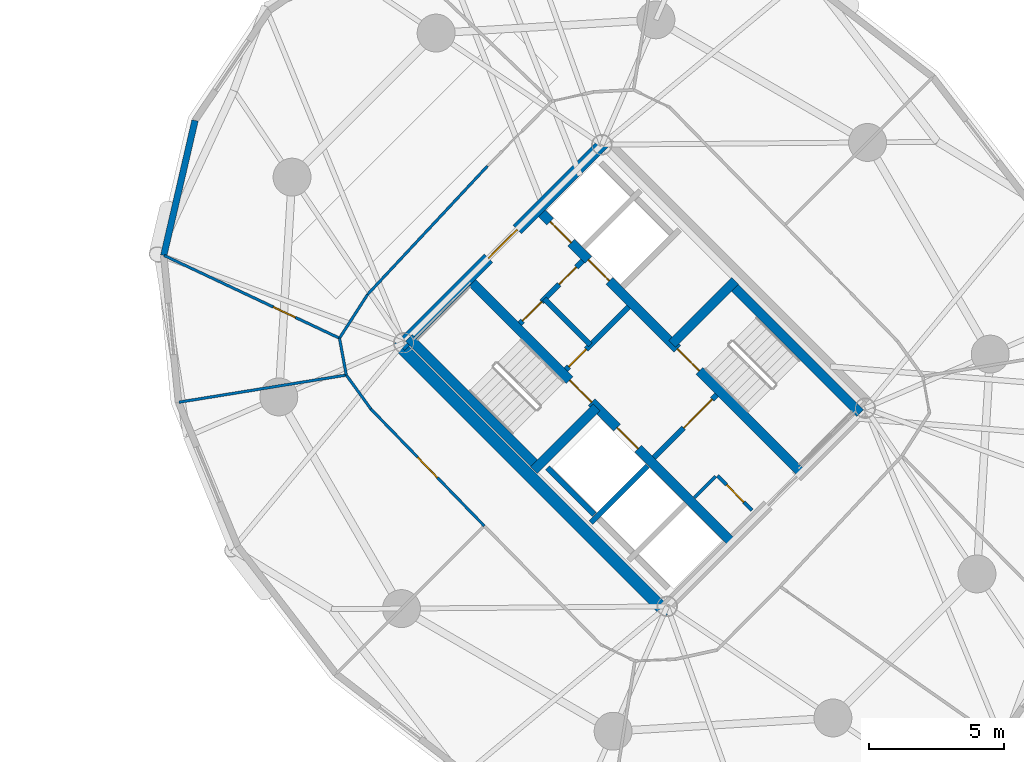
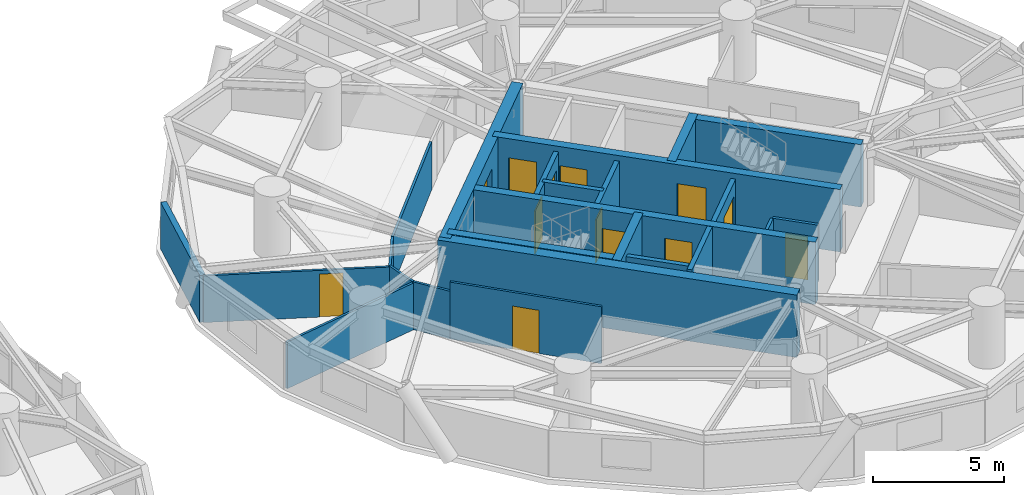
# One storey, part 12 of 16: 24 walls, 13 doors, 13 openings.
"""IFC4 building model written with IfcOpenShell, lengths in metres."""

from ifc_helpers import new_model, si_unit, direction, frame, frame_2d, origin, place, context, subcontext, project, spatial, rectangle, extrude, source, transform, mapped, material, layer, layer_set, type_object, element, fill, save


model = new_model("IFC4")

# Units and contexts
model_context = context("Model", 3, precision=1e-05, world=origin(), true_north=direction((0.0, 1.0)))
body_context = subcontext(model_context, "Body", "Model", "MODEL_VIEW")
ifc_project = project(units=[si_unit("LENGTHUNIT", "METRE"), si_unit("AREAUNIT", "SQUARE_METRE"), si_unit("VOLUMEUNIT", "CUBIC_METRE"), si_unit("PLANEANGLEUNIT", "RADIAN"), si_unit("MASSUNIT", "GRAM", prefix="KILO")], contexts=[model_context])

# Site, building, storey
site_placement = place(None, origin())
site = spatial("IfcSite", under=ifc_project, at=site_placement, CompositionType="ELEMENT")
building_placement = place(site_placement, origin())
building = spatial("IfcBuilding", under=site, at=building_placement, Name="Cununo Teusaquillo Station Towers", CompositionType="ELEMENT")
storey_placement = place(building_placement, frame((0.0, 0.0, 99.25)))
storey = spatial("IfcBuildingStorey", under=building, at=storey_placement, Name="L31", CompositionType="ELEMENT", Elevation=99.25)

# Walls
ifc_material_1 = material(Name="Concrete C50/60", Category="concrete")
ifc_layer_1 = layer(ifc_material_1, 0.199951171875)
ifc_layer_set_1 = layer_set([ifc_layer_1], Name="Concrete C50/60")
wall_type_1 = type_object("IfcWallType", Name="WL-CORE-200", PredefinedType="SHEAR", material=ifc_layer_set_1)
wall_1_placement = place(storey_placement, frame((55.8876953125, 19.0693359375, 0.0), z_axis=(0.0, 0.0, 1.0), x_axis=(0.707106781187, 0.707106781187, 0.0)))
element("IfcWall", 1, at=wall_1_placement, inside=storey, type_object=wall_type_1, Name="L31 Tower B Firefighting Lift Shaft South Shear Wall", PredefinedType="SHEAR", context=body_context, shape_type="SweptSolid", body=[
    extrude(rectangle(XDim=2.969970703125, YDim=0.199951171875, at=frame_2d((1.48486328125, 0.0))), origin(), (0.0, 0.0, 1.0), 2.909912109375),
])
wall_2_placement = place(storey_placement, frame((56.01513671875, 19.366455078125, 0.0), z_axis=(0.0, 0.0, 1.0), x_axis=(-0.707106781187, 0.707106781187, 0.0)))
element("IfcWall", 2, at=wall_2_placement, inside=storey, type_object=wall_type_1, Name="L31 Tower B Firefighting Lift Shaft Rear Shear Wall", PredefinedType="SHEAR", context=body_context, shape_type="SweptSolid", body=[
    extrude(rectangle(XDim=2.43994140625, YDim=0.199951171875, at=frame_2d((1.219970703125, 0.0))), origin(), (0.0, 0.0, 1.0), 2.909912109375),
])

# Wall, openings, doors
ifc_material_2 = material(Name="Concrete C50/60", Category="concrete")
ifc_layer_2 = layer(ifc_material_2, 0.35009765625)
ifc_layer_set_2 = layer_set([ifc_layer_2], Name="Concrete C50/60")
wall_type_2 = type_object("IfcWallType", Name="WL-CORE-350", PredefinedType="SHEAR", material=ifc_layer_set_2)
wall_3_placement = place(storey_placement, frame((61.077880859375, 18.355224609375, 0.0), z_axis=(0.0, 0.0, 1.0), x_axis=(-0.707106781187, 0.707106781187, 0.0)))
wall_3 = element("IfcWall", 3, at=wall_3_placement, inside=storey, type_object=wall_type_2, Name="L31 Tower B Core Shear Wall IW", PredefinedType="SHEAR", context=body_context, shape_type="SweptSolid", body=[
    extrude(rectangle(XDim=13.75, YDim=0.35009765625, at=frame_2d((6.875, 0.0))), origin(), (0.0, 0.0, 1.0), 2.909912109375),
])
shared_shape_1 = source(origin(), body_context, "Body", "SweptSolid", [
    extrude(rectangle(XDim=1.10009765625, YDim=2.014892578125, at=frame_2d((0.550048828125, 1.00732421875))), frame((0.0, 0.18505859375, 0.0), z_axis=(0.0, -1.0, 0.0), x_axis=(1.0, 0.0, 0.0)), (0.0, 0.0, 1.0), 0.3701171875),
])
opening_1_placement = place(wall_3_placement, frame((4.875, 0.0, 0.0)))
opening_1 = element("IfcOpeningElement", 4, at=opening_1_placement, cuts=wall_3, Name="Opening LD-01", PredefinedType="OPENING", context=body_context, shape_type="MappedRepresentation", body=[
    mapped(shared_shape_1, transform((0.0, 0.0, 0.0), x_axis=(1.0, 0.0, 0.0), y_axis=(0.0, 1.0, 0.0), z_axis=(0.0, 0.0, 1.0), scale=1.0)),
])
shared_shape_2 = source(origin(), body_context, "Body", "SweptSolid", [
    extrude(rectangle(XDim=1.14990234375, YDim=2.02001953125, at=frame_2d((0.574951171875, 1.010009765625))), frame((0.0, 0.18505859375, 0.0), z_axis=(0.0, -1.0, 0.0), x_axis=(1.0, 0.0, 0.0)), (0.0, 0.0, 1.0), 0.3701171875),
])
opening_2_placement = place(wall_3_placement, frame((7.294921875, 0.0, 0.0)))
opening_2 = element("IfcOpeningElement", 5, at=opening_2_placement, cuts=wall_3, Name="Opening D-ST1", PredefinedType="OPENING", context=body_context, shape_type="MappedRepresentation", body=[
    mapped(shared_shape_2, transform((0.0, 0.0, 0.0), x_axis=(1.0, 0.0, 0.0), y_axis=(0.0, 1.0, 0.0), z_axis=(0.0, 0.0, 1.0), scale=1.0)),
])
ifc_material_3 = material(Name="Galvanised fire-rated hollow steel door assembly", Category="steel")
door_type_1 = type_object("IfcDoorType", Name="DR-LIFT-1100", OperationType="SLIDING_TO_LEFT", PredefinedType="DOOR", material=ifc_material_3)
shared_shape_3 = source(origin(), body_context, "Body", "SweptSolid", [
    extrude(rectangle(XDim=1.10009765625, YDim=2.014892578125, at=frame_2d((0.550048828125, 1.00732421875))), frame((0.0, 0.02490234375, 0.0), z_axis=(0.0, -1.0, 0.0), x_axis=(1.0, 0.0, 0.0)), (0.0, 0.0, 1.0), 0.050048828125),
])
door_1_placement = place(opening_1_placement, origin())
door_1 = element("IfcDoor", 6, at=door_1_placement, inside=storey, type_object=door_type_1, Name="L31 Lift FL-T2 Sliding Landing Door", OperationType="SLIDING_TO_LEFT", OverallHeight=2.014892578125, OverallWidth=1.10009765625, PredefinedType="DOOR", context=body_context, shape_type="MappedRepresentation", body=[
    mapped(shared_shape_3, transform((0.0, 0.0, 0.0), x_axis=(1.0, 0.0, 0.0), y_axis=(0.0, 1.0, 0.0), z_axis=(0.0, 0.0, 1.0), scale=1.0)),
])
fill(opening_1, door_1)
ifc_material_4 = material(Name="Galvanised fire-rated hollow steel door assembly", Category="steel")
door_type_2 = type_object("IfcDoorType", Name="DR-STAIR-1150", OperationType="NOTDEFINED", PredefinedType="DOOR", material=ifc_material_4)
shared_shape_4 = source(origin(), body_context, "Body", "SweptSolid", [
    extrude(rectangle(XDim=1.14990234375, YDim=2.02001953125, at=frame_2d((0.574951171875, 1.010009765625))), frame((0.0, 0.02490234375, 0.0), z_axis=(0.0, -1.0, 0.0), x_axis=(1.0, 0.0, 0.0)), (0.0, 0.0, 1.0), 0.050048828125),
])
door_2_placement = place(opening_2_placement, origin())
door_2 = element("IfcDoor", 7, at=door_2_placement, inside=storey, type_object=door_type_2, Name="L31 Tower B Exit Stair 1 Fire Door", OperationType="SINGLE_SWING_RIGHT", OverallHeight=2.02001953125, OverallWidth=1.14990234375, PredefinedType="DOOR", context=body_context, shape_type="MappedRepresentation", body=[
    mapped(shared_shape_4, transform((0.0, 0.0, 0.0), x_axis=(1.0, 0.0, 0.0), y_axis=(0.0, 1.0, 0.0), z_axis=(0.0, 0.0, 1.0), scale=1.0)),
])
fill(opening_2, door_2)

wall_4_placement = place(storey_placement, frame((63.644775390625, 20.922119140625, 0.0), z_axis=(0.0, 0.0, 1.0), x_axis=(-0.707106781187, 0.707106781187, 0.0)))
wall_4 = element("IfcWall", 8, at=wall_4_placement, inside=storey, type_object=wall_type_2, Name="L31 Tower B Core Shear Wall IE", PredefinedType="SHEAR", context=body_context, shape_type="SweptSolid", body=[
    extrude(rectangle(XDim=13.75, YDim=0.35009765625, at=frame_2d((6.875, 0.0))), origin(), (0.0, 0.0, 1.0), 2.909912109375),
])
opening_3_placement = place(wall_4_placement, frame((10.0, 0.0, 0.0)))
opening_3 = element("IfcOpeningElement", 9, at=opening_3_placement, cuts=wall_4, Name="Opening LD-01", PredefinedType="OPENING", context=body_context, shape_type="MappedRepresentation", body=[
    mapped(shared_shape_1, transform((0.0, 0.0, 0.0), x_axis=(1.0, 0.0, 0.0), y_axis=(0.0, 1.0, 0.0), z_axis=(0.0, 0.0, 1.0), scale=1.0)),
])
opening_4_placement = place(wall_4_placement, frame((12.0, 0.0, 0.0)))
opening_4 = element("IfcOpeningElement", 10, at=opening_4_placement, cuts=wall_4, Name="Opening LD-01", PredefinedType="OPENING", context=body_context, shape_type="MappedRepresentation", body=[
    mapped(shared_shape_1, transform((0.0, 0.0, 0.0), x_axis=(1.0, 0.0, 0.0), y_axis=(0.0, 1.0, 0.0), z_axis=(0.0, 0.0, 1.0), scale=1.0)),
])
opening_5_placement = place(wall_4_placement, frame((5.304931640625, 0.0, 0.0)))
opening_5 = element("IfcOpeningElement", 11, at=opening_5_placement, cuts=wall_4, Name="Opening D-ST1", PredefinedType="OPENING", context=body_context, shape_type="MappedRepresentation", body=[
    mapped(shared_shape_2, transform((0.0, 0.0, 0.0), x_axis=(1.0, 0.0, 0.0), y_axis=(0.0, 1.0, 0.0), z_axis=(0.0, 0.0, 1.0), scale=1.0)),
])
door_3_placement = place(opening_3_placement, origin())
door_3 = element("IfcDoor", 12, at=door_3_placement, inside=storey, type_object=door_type_1, Name="L31 Lift PL-T2-L1 Sliding Landing Door", OperationType="SLIDING_TO_LEFT", OverallHeight=2.014892578125, OverallWidth=1.10009765625, PredefinedType="DOOR", context=body_context, shape_type="MappedRepresentation", body=[
    mapped(shared_shape_3, transform((0.0, 0.0, 0.0), x_axis=(1.0, 0.0, 0.0), y_axis=(0.0, 1.0, 0.0), z_axis=(0.0, 0.0, 1.0), scale=1.0)),
])
fill(opening_3, door_3)
door_4_placement = place(opening_4_placement, origin())
door_4 = element("IfcDoor", 13, at=door_4_placement, inside=storey, type_object=door_type_1, Name="L31 Lift PL-T2-L2 Sliding Landing Door", OperationType="SLIDING_TO_RIGHT", OverallHeight=2.014892578125, OverallWidth=1.10009765625, PredefinedType="DOOR", context=body_context, shape_type="MappedRepresentation", body=[
    mapped(shared_shape_3, transform((0.0, 0.0, 0.0), x_axis=(1.0, 0.0, 0.0), y_axis=(0.0, 1.0, 0.0), z_axis=(0.0, 0.0, 1.0), scale=1.0)),
])
fill(opening_4, door_4)
door_5_placement = place(opening_5_placement, origin())
door_5 = element("IfcDoor", 14, at=door_5_placement, inside=storey, type_object=door_type_2, Name="L31 Tower B Exit Stair 2 Fire Door", OperationType="SINGLE_SWING_LEFT", OverallHeight=2.02001953125, OverallWidth=1.14990234375, PredefinedType="DOOR", context=body_context, shape_type="MappedRepresentation", body=[
    mapped(shared_shape_4, transform((0.0, 0.0, 0.0), x_axis=(1.0, 0.0, 0.0), y_axis=(0.0, 1.0, 0.0), z_axis=(0.0, 0.0, 1.0), scale=1.0)),
])
fill(opening_5, door_5)

# Walls
wall_5_placement = place(storey_placement, frame((53.922119140625, 21.14111328125, 0.0), z_axis=(0.0, 0.0, 1.0), x_axis=(-0.707088616009, 0.707124945897, 0.0)))
element("IfcWall", 15, at=wall_5_placement, inside=storey, type_object=wall_type_2, Name="L31 Tower B Core Shear Wall ST1W", PredefinedType="SHEAR", context=body_context, shape_type="SweptSolid", body=[
    extrude(rectangle(XDim=6.72021484375, YDim=0.35009765625, at=frame_2d((3.360107421875, 0.0))), origin(), (0.0, 0.0, 1.0), 2.909912109375),
])
wall_6_placement = place(storey_placement, frame((53.7841796875, 21.00341796875, 0.0), z_axis=(0.0, 0.0, 1.0), x_axis=(0.707106781187, 0.707106781187, 0.0)))
element("IfcWall", 16, at=wall_6_placement, inside=storey, type_object=wall_type_2, Name="L31 Tower B Core Shear Wall ST1S", PredefinedType="SHEAR", context=body_context, shape_type="SweptSolid", body=[
    extrude(rectangle(XDim=3.284912109375, YDim=0.35009765625, at=frame_2d((1.642578125, 0.0))), origin(), (0.0, 0.0, 1.0), 2.909912109375),
])
wall_7_placement = place(storey_placement, frame((65.82958984375, 23.10693359375, 0.0), z_axis=(0.0, 0.0, 1.0), x_axis=(-0.707088616009, 0.707124945897, 0.0)))
element("IfcWall", 17, at=wall_7_placement, inside=storey, type_object=wall_type_2, Name="L31 Tower B Core Shear Wall ST2E", PredefinedType="SHEAR", context=body_context, shape_type="SweptSolid", body=[
    extrude(rectangle(XDim=6.72021484375, YDim=0.35009765625, at=frame_2d((3.360107421875, 0.0))), origin(), (0.0, 0.0, 1.0), 2.909912109375),
])
wall_8_placement = place(storey_placement, frame((58.89306640625, 25.673828125, 0.0), z_axis=(0.0, 0.0, 1.0), x_axis=(0.707106781187, 0.707106781187, 0.0)))
element("IfcWall", 18, at=wall_8_placement, inside=storey, type_object=wall_type_2, Name="L31 Tower B Core Shear Wall ST2N", PredefinedType="SHEAR", context=body_context, shape_type="SweptSolid", body=[
    extrude(rectangle(XDim=3.284912109375, YDim=0.35009765625, at=frame_2d((1.642578125, 0.0))), origin(), (0.0, 0.0, 1.0), 2.909912109375),
])
ifc_material_5 = material(Name="Concrete C60/75", Category="concrete")
ifc_layer_3 = layer(ifc_material_5, 0.449951171875)
ifc_layer_set_3 = layer_set([ifc_layer_3], Name="Concrete C60/75")
wall_type_3 = type_object("IfcWallType", Name="WL-CORE-450", PredefinedType="SHEAR", material=ifc_layer_set_3)
wall_9_placement = place(storey_placement, frame((58.7373046875, 15.696533203125, 0.0), z_axis=(0.0, 0.0, 1.0), x_axis=(-0.707106781187, 0.707106781187, 0.0)))
element("IfcWall", 19, at=wall_9_placement, inside=storey, type_object=wall_type_3, Name="L31 Tower B Core Shear Wall W", PredefinedType="SHEAR", context=body_context, shape_type="SweptSolid", body=[
    extrude(rectangle(XDim=14.19970703125, YDim=0.449951171875, at=frame_2d((7.099853515625, 0.0))), origin(), (0.0, 0.0, 1.0), 2.909912109375),
])

# Wall, opening, door
wall_10_placement = place(storey_placement, frame((48.855712890625, 25.578369140625, 0.0), z_axis=(0.0, 0.0, 1.0), x_axis=(0.707106781187, 0.707106781187, 0.0)))
wall_10 = element("IfcWall", 20, at=wall_10_placement, inside=storey, type_object=wall_type_3, Name="L31 Tower B Core Shear Wall N", PredefinedType="SHEAR", context=body_context, shape_type="SweptSolid", body=[
    extrude(rectangle(XDim=10.69970703125, YDim=0.449951171875, at=frame_2d((5.349853515625, 0.0))), origin(), (0.0, 0.0, 1.0), 2.909912109375),
])
shared_shape_5 = source(origin(), body_context, "Body", "SweptSolid", [
    extrude(rectangle(XDim=1.5, YDim=2.02001953125, at=frame_2d((0.75, 1.010009765625))), frame((0.0, 0.23486328125, 0.0), z_axis=(0.0, -1.0, 0.0), x_axis=(1.0, 0.0, 0.0)), (0.0, 0.0, 1.0), 0.469970703125),
])
opening_6_placement = place(wall_10_placement, frame((4.60009765625, 0.0, 0.0)))
opening_6 = element("IfcOpeningElement", 21, at=opening_6_placement, cuts=wall_10, Name="Opening D-LB1", PredefinedType="OPENING", context=body_context, shape_type="MappedRepresentation", body=[
    mapped(shared_shape_5, transform((0.0, 0.0, 0.0), x_axis=(1.0, 0.0, 0.0), y_axis=(0.0, 1.0, 0.0), z_axis=(0.0, 0.0, 1.0), scale=1.0)),
])
ifc_material_6 = material(Name="Galvanised fire-rated hollow steel door assembly", Category="steel")
door_type_3 = type_object("IfcDoorType", Name="DR-LOBBY-1500", OperationType="DOUBLE_DOOR_SINGLE_SWING", PredefinedType="DOOR", material=ifc_material_6)
shared_shape_6 = source(origin(), body_context, "Body", "SweptSolid", [
    extrude(rectangle(XDim=1.5, YDim=2.02001953125, at=frame_2d((0.75, 1.010009765625))), frame((0.0, 0.02490234375, 0.0), z_axis=(0.0, -1.0, 0.0), x_axis=(1.0, 0.0, 0.0)), (0.0, 0.0, 1.0), 0.050048828125),
])
door_6_placement = place(opening_6_placement, origin())
door_6 = element("IfcDoor", 22, at=door_6_placement, inside=storey, type_object=door_type_3, Name="L31 Tower B North Core Lift Lobby Door", OperationType="DOUBLE_DOOR_SINGLE_SWING", OverallHeight=2.02001953125, OverallWidth=1.5, PredefinedType="DOOR", context=body_context, shape_type="MappedRepresentation", body=[
    mapped(shared_shape_6, transform((0.0, 0.0, 0.0), x_axis=(1.0, 0.0, 0.0), y_axis=(0.0, 1.0, 0.0), z_axis=(0.0, 0.0, 1.0), scale=1.0)),
])
fill(opening_6, door_6)

# Walls
ifc_material_7 = material(Name="Precast concrete C40/50", Category="concrete")
ifc_layer_4 = layer(ifc_material_7, 0.239990234375)
ifc_layer_set_4 = layer_set([ifc_layer_4], Name="Precast concrete C40/50")
wall_type_4 = type_object("IfcWallType", Name="WL-EXT-240", PredefinedType="SOLIDWALL", material=ifc_layer_set_4)
wall_11_placement = place(storey_placement, frame((40.114990234375, 28.933349609375, 0.0), z_axis=(0.0, 0.0, 1.0), x_axis=(0.225834725257, 0.974165631126, 0.0)))
element("IfcWall", 23, at=wall_11_placement, inside=storey, type_object=wall_type_4, Name="L31 Tower B Exterior Facade Wall C06", PredefinedType="SOLIDWALL", context=body_context, shape_type="SweptSolid", body=[
    extrude(rectangle(XDim=5.118896484375, YDim=0.239990234375, at=frame_2d((2.5595703125, 0.0))), origin(), (0.0, 0.0, 1.0), 2.178955078125),
])
ifc_material_8 = material(Name="Fire-rated gypsum plasterboard partition assembly", Category="gypsum")
ifc_layer_5 = layer(ifc_material_8, 0.10009765625)
ifc_layer_set_5 = layer_set([ifc_layer_5], Name="Fire-rated gypsum plasterboard partition assembly")
wall_type_5 = type_object("IfcWallType", Name="WL-PART-100", PredefinedType="MOVABLE", material=ifc_layer_set_5)
wall_12_placement = place(storey_placement, frame((52.07177734375, 32.2373046875, 0.0), z_axis=(0.0, 0.0, 1.0), x_axis=(-0.682528774423, -0.730858722383, 0.0)))
element("IfcWall", 24, at=wall_12_placement, inside=storey, type_object=wall_type_5, Name="L31 Tower B Corridor Ring Wall C05", PredefinedType="MOVABLE", context=body_context, shape_type="SweptSolid", body=[
    extrude(rectangle(XDim=6.486083984375, YDim=0.10009765625, at=frame_2d((3.2431640625, 0.0))), origin(), (0.0, 0.0, 1.0), 2.22509765625),
])
wall_13_placement = place(storey_placement, frame((47.644775390625, 27.496826171875, 0.0), z_axis=(0.0, 0.0, 1.0), x_axis=(-0.540680612097, -0.841227957038, 0.0)))
element("IfcWall", 25, at=wall_13_placement, inside=storey, type_object=wall_type_5, Name="L31 Tower B Corridor Ring Wall C06", PredefinedType="MOVABLE", context=body_context, shape_type="SweptSolid", body=[
    extrude(rectangle(XDim=1.923583984375, YDim=0.10009765625, at=frame_2d((0.9619140625, 0.0))), origin(), (0.0, 0.0, 1.0), 2.22509765625),
])
wall_14_placement = place(storey_placement, frame((46.604736328125, 25.878662109375, 0.0), z_axis=(0.0, 0.0, 1.0), x_axis=(0.182019785456, -0.983294868136, 0.0)))
element("IfcWall", 26, at=wall_14_placement, inside=storey, type_object=wall_type_5, Name="L31 Tower B Corridor Ring Wall C07", PredefinedType="MOVABLE", context=body_context, shape_type="SweptSolid", body=[
    extrude(rectangle(XDim=1.38427734375, YDim=0.10009765625, at=frame_2d((0.692138671875, 0.0))), origin(), (0.0, 0.0, 1.0), 2.22509765625),
])
wall_15_placement = place(storey_placement, frame((46.856689453125, 24.517578125, 0.0), z_axis=(0.0, 0.0, 1.0), x_axis=(0.58624548148, -0.810133467674, 0.0)))
element("IfcWall", 27, at=wall_15_placement, inside=storey, type_object=wall_type_5, Name="L31 Tower B Corridor Ring Wall C08", PredefinedType="MOVABLE", context=body_context, shape_type="SweptSolid", body=[
    extrude(rectangle(XDim=1.54638671875, YDim=0.10009765625, at=frame_2d((0.773193359375, 0.0))), origin(), (0.0, 0.0, 1.0), 2.22509765625),
])

# Wall, opening, door
wall_16_placement = place(storey_placement, frame((47.76318359375, 23.264892578125, 0.0), z_axis=(0.0, 0.0, 1.0), x_axis=(0.696243493404, -0.717805682544, 0.0)))
wall_16 = element("IfcWall", 28, at=wall_16_placement, inside=storey, type_object=wall_type_5, Name="L31 Tower B Corridor Ring Wall C09", PredefinedType="MOVABLE", context=body_context, shape_type="SweptSolid", body=[
    extrude(rectangle(XDim=6.01220703125, YDim=0.10009765625, at=frame_2d((3.006103515625, 0.0))), origin(), (0.0, 0.0, 1.0), 2.655029296875),
])
shared_shape_7 = source(origin(), body_context, "Body", "SweptSolid", [
    extrude(rectangle(XDim=1.050048828125, YDim=2.014892578125, at=frame_2d((0.52490234375, 1.00732421875))), frame((0.0, 0.06005859375, 0.0), z_axis=(0.0, -1.0, 0.0), x_axis=(1.0, 0.0, 0.0)), (0.0, 0.0, 1.0), 0.1201171875),
])
opening_7_placement = place(wall_16_placement, frame((2.481201171875, 0.0, 0.0)))
opening_7 = element("IfcOpeningElement", 29, at=opening_7_placement, cuts=wall_16, Name="Opening D-SU1", PredefinedType="OPENING", context=body_context, shape_type="MappedRepresentation", body=[
    mapped(shared_shape_7, transform((0.0, 0.0, 0.0), x_axis=(1.0, 0.0, 0.0), y_axis=(0.0, 1.0, 0.0), z_axis=(0.0, 0.0, 1.0), scale=1.0)),
])
ifc_material_9 = material(Name="Acoustic solid-core hardwood leaf assembly", Category="wood")
door_type_4 = type_object("IfcDoorType", Name="DR-SUITE-1050", OperationType="NOTDEFINED", PredefinedType="DOOR", material=ifc_material_9)
shared_shape_8 = source(origin(), body_context, "Body", "SweptSolid", [
    extrude(rectangle(XDim=1.050048828125, YDim=2.014892578125, at=frame_2d((0.52490234375, 1.00732421875))), frame((0.0, 0.02490234375, 0.0), z_axis=(0.0, -1.0, 0.0), x_axis=(1.0, 0.0, 0.0)), (0.0, 0.0, 1.0), 0.050048828125),
])
door_7_placement = place(opening_7_placement, origin())
door_7 = element("IfcDoor", 30, at=door_7_placement, inside=storey, type_object=door_type_4, Name="L31 Tower B Fixed-Income & FX Execution Desk Entrance Door", OperationType="SINGLE_SWING_LEFT", OverallHeight=2.014892578125, OverallWidth=1.050048828125, PredefinedType="DOOR", context=body_context, shape_type="MappedRepresentation", body=[
    mapped(shared_shape_8, transform((0.0, 0.0, 0.0), x_axis=(1.0, 0.0, 0.0), y_axis=(0.0, 1.0, 0.0), z_axis=(0.0, 0.0, 1.0), scale=1.0)),
])
fill(opening_7, door_7)

# Wall
wall_17_placement = place(storey_placement, frame((46.856689453125, 24.517578125, 0.0), z_axis=(0.0, 0.0, 1.0), x_axis=(-0.987101644997, -0.160094792056, 0.0)))
element("IfcWall", 31, at=wall_17_placement, inside=storey, type_object=wall_type_5, Name="L31 Tower B Radial Suite Partition R04", PredefinedType="MOVABLE", context=body_context, shape_type="SweptSolid", body=[
    extrude(rectangle(XDim=6.257080078125, YDim=0.10009765625, at=frame_2d((3.12841796875, 0.0))), origin(), (0.0, 0.0, 1.0), 2.178955078125),
])

# Wall, opening, door
wall_18_placement = place(storey_placement, frame((46.604736328125, 25.878662109375, 0.0), z_axis=(0.0, 0.0, 1.0), x_axis=(-0.904450971726, 0.426577589359, 0.0)))
wall_18 = element("IfcWall", 32, at=wall_18_placement, inside=storey, type_object=wall_type_5, Name="L31 Tower B Compliance & Audit Office Suite Subdividing Wall", PredefinedType="MOVABLE", context=body_context, shape_type="SweptSolid", body=[
    extrude(rectangle(XDim=7.153564453125, YDim=0.10009765625, at=frame_2d((3.57666015625, 0.0))), origin(), (0.0, 0.0, 1.0), 2.178955078125),
])
shared_shape_9 = source(origin(), body_context, "Body", "SweptSolid", [
    extrude(rectangle(XDim=0.89990234375, YDim=2.0048828125, at=frame_2d((0.449951171875, 1.00244140625))), frame((0.0, 0.06005859375, 0.0), z_axis=(0.0, -1.0, 0.0), x_axis=(1.0, 0.0, 0.0)), (0.0, 0.0, 1.0), 0.1201171875),
])
opening_8_placement = place(wall_18_placement, frame((1.800048828125, 0.0, 0.0)))
opening_8 = element("IfcOpeningElement", 33, at=opening_8_placement, cuts=wall_18, Name="Opening D-IN1", PredefinedType="OPENING", context=body_context, shape_type="MappedRepresentation", body=[
    mapped(shared_shape_9, transform((0.0, 0.0, 0.0), x_axis=(1.0, 0.0, 0.0), y_axis=(0.0, 1.0, 0.0), z_axis=(0.0, 0.0, 1.0), scale=1.0)),
])
ifc_material_10 = material(Name="Acoustic solid-core hardwood leaf assembly", Category="wood")
door_type_5 = type_object("IfcDoorType", Name="DR-INT-900", OperationType="NOTDEFINED", PredefinedType="DOOR", material=ifc_material_10)
shared_shape_10 = source(origin(), body_context, "Body", "SweptSolid", [
    extrude(rectangle(XDim=0.89990234375, YDim=2.0048828125, at=frame_2d((0.449951171875, 1.00244140625))), frame((0.0, 0.02490234375, 0.0), z_axis=(0.0, -1.0, 0.0), x_axis=(1.0, 0.0, 0.0)), (0.0, 0.0, 1.0), 0.050048828125),
])
door_8_placement = place(opening_8_placement, origin())
door_8 = element("IfcDoor", 34, at=door_8_placement, inside=storey, type_object=door_type_5, Name="L31 Tower B Compliance & Audit Office Suite Connecting Door", OperationType="SINGLE_SWING_RIGHT", OverallHeight=2.0048828125, OverallWidth=0.89990234375, PredefinedType="DOOR", context=body_context, shape_type="MappedRepresentation", body=[
    mapped(shared_shape_10, transform((0.0, 0.0, 0.0), x_axis=(1.0, 0.0, 0.0), y_axis=(0.0, 1.0, 0.0), z_axis=(0.0, 0.0, 1.0), scale=1.0)),
])
fill(opening_8, door_8)

ifc_material_11 = material(Name="Fire-rated gypsum plasterboard partition assembly", Category="gypsum")
ifc_layer_6 = layer(ifc_material_11, 0.125)
ifc_layer_set_6 = layer_set([ifc_layer_6], Name="Fire-rated gypsum plasterboard partition assembly")
wall_type_6 = type_object("IfcWallType", Name="WL-PART-125", PredefinedType="PARTITIONING", material=ifc_layer_set_6)
wall_19_placement = place(storey_placement, frame((61.834716796875, 19.529052734375, 0.0), z_axis=(0.0, 0.0, 1.0), x_axis=(-0.707174592913, 0.707038962956, 0.0)))
wall_19 = element("IfcWall", 35, at=wall_19_placement, inside=storey, type_object=wall_type_6, Name="L31 Tower B South-West Compact Store East Wall", PredefinedType="PARTITIONING", context=body_context, shape_type="SweptSolid", body=[
    extrude(rectangle(XDim=1.800048828125, YDim=0.125, at=frame_2d((0.89990234375, 0.0))), origin(), (0.0, 0.0, 1.0), 2.655029296875),
])
shared_shape_11 = source(origin(), body_context, "Body", "SweptSolid", [
    extrude(rectangle(XDim=0.89990234375, YDim=2.0048828125, at=frame_2d((0.449951171875, 1.00244140625))), frame((0.0, 0.072509765625, 0.0), z_axis=(0.0, -1.0, 0.0), x_axis=(1.0, 0.0, 0.0)), (0.0, 0.0, 1.0), 0.14501953125),
])
opening_9_placement = place(wall_19_placement, frame((0.419921875, 0.0, 0.0)))
opening_9 = element("IfcOpeningElement", 36, at=opening_9_placement, cuts=wall_19, Name="Opening D-SR1", PredefinedType="OPENING", context=body_context, shape_type="MappedRepresentation", body=[
    mapped(shared_shape_11, transform((0.0, 0.0, 0.0), x_axis=(1.0, 0.0, 0.0), y_axis=(0.0, 1.0, 0.0), z_axis=(0.0, 0.0, 1.0), scale=1.0)),
])
ifc_material_12 = material(Name="Galvanised fire-rated hollow steel door assembly", Category="steel")
door_type_6 = type_object("IfcDoorType", Name="DR-STORE-900", OperationType="NOTDEFINED", PredefinedType="DOOR", material=ifc_material_12)
door_9_placement = place(opening_9_placement, origin())
door_9 = element("IfcDoor", 37, at=door_9_placement, inside=storey, type_object=door_type_6, Name="L31 Tower B Core Electrical & Comms Store Door", OperationType="SINGLE_SWING_RIGHT", OverallHeight=2.0048828125, OverallWidth=0.89990234375, PredefinedType="DOOR", context=body_context, shape_type="MappedRepresentation", body=[
    mapped(shared_shape_10, transform((0.0, 0.0, 0.0), x_axis=(1.0, 0.0, 0.0), y_axis=(0.0, 1.0, 0.0), z_axis=(0.0, 0.0, 1.0), scale=1.0)),
])
fill(opening_9, door_9)

# Wall
wall_20_placement = place(storey_placement, frame((59.713134765625, 19.99560546875, 0.0), z_axis=(0.0, 0.0, 1.0), x_axis=(0.707217726, 0.706995818963, 0.0)))
element("IfcWall", 38, at=wall_20_placement, inside=storey, type_object=wall_type_6, Name="L31 Tower B South-West Compact Store North Wall", PredefinedType="PARTITIONING", context=body_context, shape_type="SweptSolid", body=[
    extrude(rectangle(XDim=1.10009765625, YDim=0.125, at=frame_2d((0.550048828125, 0.0))), origin(), (0.0, 0.0, 1.0), 2.655029296875),
])

# Wall, opening, door
ifc_material_13 = material(Name="Fire-rated gypsum plasterboard partition assembly", Category="gypsum")
ifc_layer_7 = layer(ifc_material_13, 0.199951171875)
ifc_layer_set_7 = layer_set([ifc_layer_7], Name="Fire-rated gypsum plasterboard partition assembly")
wall_type_7 = type_object("IfcWallType", Name="WL-PART-200", PredefinedType="PARTITIONING", material=ifc_layer_set_7)
wall_21_placement = place(storey_placement, frame((58.214111328125, 21.466552734375, 0.0), z_axis=(0.0, 0.0, 1.0), x_axis=(0.707106781187, 0.707106781187, 0.0)))
wall_21 = element("IfcWall", 39, at=wall_21_placement, inside=storey, type_object=wall_type_7, Name="L31 Tower B Firefighting Lift Lobby South Fire Wall", PredefinedType="PARTITIONING", context=body_context, shape_type="SweptSolid", body=[
    extrude(rectangle(XDim=3.280029296875, YDim=0.199951171875, at=frame_2d((1.64013671875, 0.0))), origin(), (0.0, 0.0, 1.0), 2.655029296875),
])
shared_shape_12 = source(origin(), body_context, "Body", "SweptSolid", [
    extrude(rectangle(XDim=1.5, YDim=2.02001953125, at=frame_2d((0.75, 1.010009765625))), frame((0.0, 0.10986328125, 0.0), z_axis=(0.0, -1.0, 0.0), x_axis=(1.0, 0.0, 0.0)), (0.0, 0.0, 1.0), 0.219970703125),
])
opening_10_placement = place(wall_21_placement, frame((1.550048828125, 0.0, 0.0)))
opening_10 = element("IfcOpeningElement", 40, at=opening_10_placement, cuts=wall_21, Name="Opening D-LB1", PredefinedType="OPENING", context=body_context, shape_type="MappedRepresentation", body=[
    mapped(shared_shape_12, transform((0.0, 0.0, 0.0), x_axis=(1.0, 0.0, 0.0), y_axis=(0.0, 1.0, 0.0), z_axis=(0.0, 0.0, 1.0), scale=1.0)),
])
door_10_placement = place(opening_10_placement, origin())
door_10 = element("IfcDoor", 41, at=door_10_placement, inside=storey, type_object=door_type_3, Name="L31 Tower B Firefighting Lift Lobby South Fire Door", OperationType="DOUBLE_DOOR_SINGLE_SWING", OverallHeight=2.02001953125, OverallWidth=1.5, PredefinedType="DOOR", context=body_context, shape_type="MappedRepresentation", body=[
    mapped(shared_shape_6, transform((0.0, 0.0, 0.0), x_axis=(1.0, 0.0, 0.0), y_axis=(0.0, 1.0, 0.0), z_axis=(0.0, 0.0, 1.0), scale=1.0)),
])
fill(opening_10, door_10)

wall_22_placement = place(storey_placement, frame((54.96142578125, 24.71923828125, 0.0), z_axis=(0.0, 0.0, 1.0), x_axis=(0.707106781187, 0.707106781187, 0.0)))
wall_22 = element("IfcWall", 42, at=wall_22_placement, inside=storey, type_object=wall_type_7, Name="L31 Tower B Firefighting Lift Lobby North Fire Wall", PredefinedType="PARTITIONING", context=body_context, shape_type="SweptSolid", body=[
    extrude(rectangle(XDim=3.280029296875, YDim=0.199951171875, at=frame_2d((1.64013671875, 0.0))), origin(), (0.0, 0.0, 1.0), 2.655029296875),
])
shared_shape_13 = source(origin(), body_context, "Body", "SweptSolid", [
    extrude(rectangle(XDim=0.89990234375, YDim=2.0048828125, at=frame_2d((0.449951171875, 1.00244140625))), frame((0.0, 0.10986328125, 0.0), z_axis=(0.0, -1.0, 0.0), x_axis=(1.0, 0.0, 0.0)), (0.0, 0.0, 1.0), 0.219970703125),
])
opening_11_placement = place(wall_22_placement, frame((0.159912109375, 0.0, 0.0)))
opening_11 = element("IfcOpeningElement", 43, at=opening_11_placement, cuts=wall_22, Name="Opening D-SR1", PredefinedType="OPENING", context=body_context, shape_type="MappedRepresentation", body=[
    mapped(shared_shape_13, transform((0.0, 0.0, 0.0), x_axis=(1.0, 0.0, 0.0), y_axis=(0.0, 1.0, 0.0), z_axis=(0.0, 0.0, 1.0), scale=1.0)),
])
door_11_placement = place(opening_11_placement, origin())
door_11 = element("IfcDoor", 44, at=door_11_placement, inside=storey, type_object=door_type_6, Name="L31 Tower B Stair 1 Protected Vestibule South Door", OperationType="SINGLE_SWING_RIGHT", OverallHeight=2.0048828125, OverallWidth=0.89990234375, PredefinedType="DOOR", context=body_context, shape_type="MappedRepresentation", body=[
    mapped(shared_shape_10, transform((0.0, 0.0, 0.0), x_axis=(1.0, 0.0, 0.0), y_axis=(0.0, 1.0, 0.0), z_axis=(0.0, 0.0, 1.0), scale=1.0)),
])
fill(opening_11, door_11)

# Wall
wall_23_placement = place(storey_placement, frame((55.873779296875, 25.63134765625, 0.0), z_axis=(0.0, 0.0, 1.0), x_axis=(-0.707157639372, 0.707055919343, 0.0)))
element("IfcWall", 45, at=wall_23_placement, inside=storey, type_object=wall_type_7, Name="L31 Tower B Stair 1 Vestibule Partition Wall", PredefinedType="PARTITIONING", context=body_context, shape_type="SweptSolid", body=[
    extrude(rectangle(XDim=2.400146484375, YDim=0.199951171875, at=frame_2d((1.2001953125, 0.0))), origin(), (0.0, 0.0, 1.0), 2.655029296875),
])

# Wall, openings, doors
wall_24_placement = place(storey_placement, frame((53.264404296875, 26.416259765625, 0.0), z_axis=(0.0, 0.0, 1.0), x_axis=(0.707106781187, 0.707106781187, 0.0)))
wall_24 = element("IfcWall", 46, at=wall_24_placement, inside=storey, type_object=wall_type_7, Name="L31 Tower B North Lift Lobby South Fire Wall", PredefinedType="PARTITIONING", context=body_context, shape_type="SweptSolid", body=[
    extrude(rectangle(XDim=3.280029296875, YDim=0.199951171875, at=frame_2d((1.64013671875, 0.0))), origin(), (0.0, 0.0, 1.0), 2.655029296875),
])
shared_shape_14 = source(origin(), body_context, "Body", "SweptSolid", [
    extrude(rectangle(XDim=1.0, YDim=2.014892578125, at=frame_2d((0.5, 1.00732421875))), frame((0.0, 0.10986328125, 0.0), z_axis=(0.0, -1.0, 0.0), x_axis=(1.0, 0.0, 0.0)), (0.0, 0.0, 1.0), 0.219970703125),
])
opening_12_placement = place(wall_24_placement, frame((0.139892578125, 0.0, 0.0)))
opening_12 = element("IfcOpeningElement", 47, at=opening_12_placement, cuts=wall_24, Name="Opening D-AC1", PredefinedType="OPENING", context=body_context, shape_type="MappedRepresentation", body=[
    mapped(shared_shape_14, transform((0.0, 0.0, 0.0), x_axis=(1.0, 0.0, 0.0), y_axis=(0.0, 1.0, 0.0), z_axis=(0.0, 0.0, 1.0), scale=1.0)),
])
opening_13_placement = place(wall_24_placement, frame((2.050048828125, 0.0, 0.0)))
opening_13 = element("IfcOpeningElement", 48, at=opening_13_placement, cuts=wall_24, Name="Opening D-SR1", PredefinedType="OPENING", context=body_context, shape_type="MappedRepresentation", body=[
    mapped(shared_shape_13, transform((0.0, 0.0, 0.0), x_axis=(1.0, 0.0, 0.0), y_axis=(0.0, 1.0, 0.0), z_axis=(0.0, 0.0, 1.0), scale=1.0)),
])
door_12_placement = place(opening_13_placement, origin())
door_12 = element("IfcDoor", 49, at=door_12_placement, inside=storey, type_object=door_type_6, Name="L31 Tower B Core Housekeeping & Linen Store Door", OperationType="SINGLE_SWING_LEFT", OverallHeight=2.0048828125, OverallWidth=0.89990234375, PredefinedType="DOOR", context=body_context, shape_type="MappedRepresentation", body=[
    mapped(shared_shape_10, transform((0.0, 0.0, 0.0), x_axis=(1.0, 0.0, 0.0), y_axis=(0.0, 1.0, 0.0), z_axis=(0.0, 0.0, 1.0), scale=1.0)),
])
fill(opening_13, door_12)
ifc_material_14 = material(Name="Acoustic solid-core hardwood leaf assembly", Category="wood")
door_type_7 = type_object("IfcDoorType", Name="DR-ACC-1000", OperationType="NOTDEFINED", PredefinedType="DOOR", material=ifc_material_14)
shared_shape_15 = source(origin(), body_context, "Body", "SweptSolid", [
    extrude(rectangle(XDim=1.0, YDim=2.014892578125, at=frame_2d((0.5, 1.00732421875))), frame((0.0, 0.02490234375, 0.0), z_axis=(0.0, -1.0, 0.0), x_axis=(1.0, 0.0, 0.0)), (0.0, 0.0, 1.0), 0.050048828125),
])
door_13_placement = place(opening_12_placement, origin())
door_13 = element("IfcDoor", 50, at=door_13_placement, inside=storey, type_object=door_type_7, Name="L31 Tower B North Lift Lobby to Stair 1 Vestibule Door", OperationType="SINGLE_SWING_LEFT", OverallHeight=2.014892578125, OverallWidth=1.0, PredefinedType="DOOR", context=body_context, shape_type="MappedRepresentation", body=[
    mapped(shared_shape_15, transform((0.0, 0.0, 0.0), x_axis=(1.0, 0.0, 0.0), y_axis=(0.0, 1.0, 0.0), z_axis=(0.0, 0.0, 1.0), scale=1.0)),
])
fill(opening_12, door_13)

save(model, "model.ifc")
